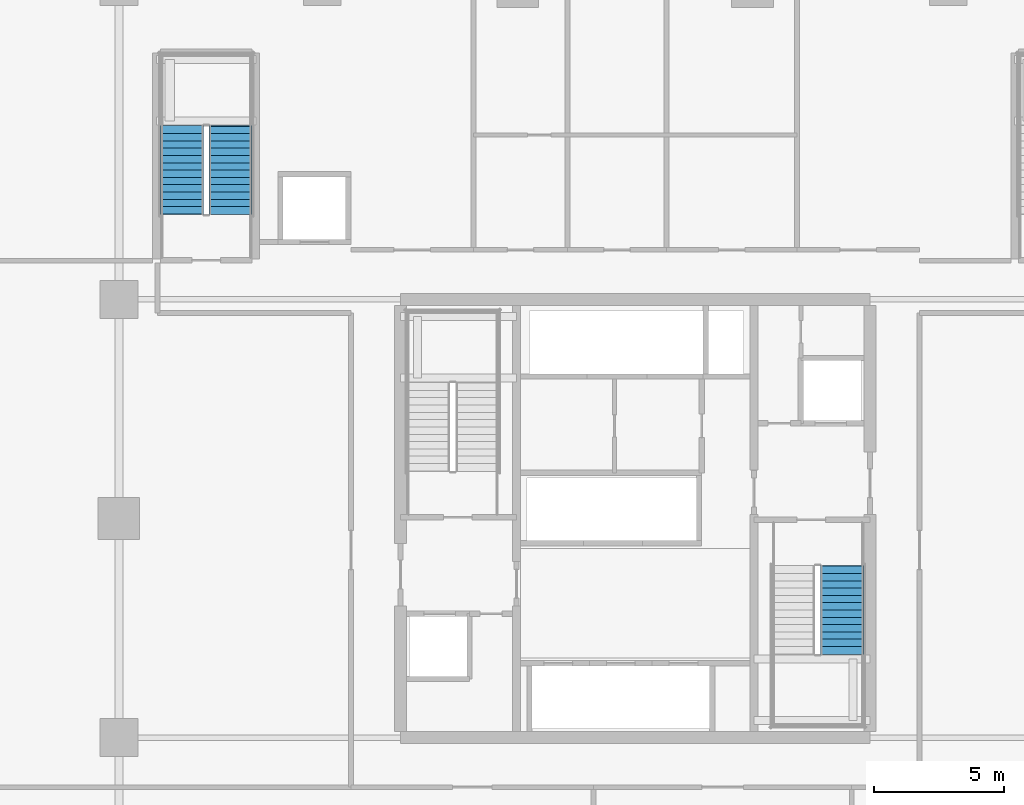
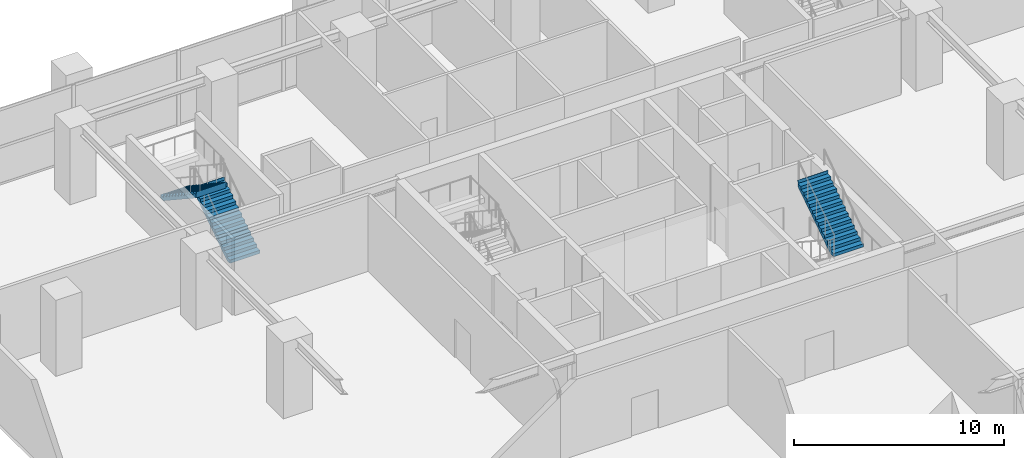
# One storey, part 17 of 20: 3 stair flights, 2 elements without a shape of their own.
"""IFC4 building model written with IfcOpenShell, lengths in metres."""

from ifc_helpers import new_model, si_unit, direction, frame, origin, place, context, subcontext, project, spatial, polygons, material, type_object, element, aggregate, save


model = new_model("IFC4")

# Units and contexts
model_context = context("Model", 3, precision=1e-05, world=origin(), true_north=direction((0.0, 1.0)))
body_context = subcontext(model_context, "Body", "Model", "MODEL_VIEW")
ifc_project = project(units=[si_unit("LENGTHUNIT", "METRE"), si_unit("AREAUNIT", "SQUARE_METRE"), si_unit("VOLUMEUNIT", "CUBIC_METRE"), si_unit("PLANEANGLEUNIT", "RADIAN"), si_unit("MASSUNIT", "GRAM", prefix="KILO")], contexts=[model_context])

# Site, building, storey
site_placement = place(None, origin())
site = spatial("IfcSite", under=ifc_project, at=site_placement, CompositionType="ELEMENT")
building_placement = place(site_placement, origin())
building = spatial("IfcBuilding", under=site, at=building_placement, Name="Serunith Strait Residences", CompositionType="ELEMENT")
storey_placement = place(building_placement, frame((0.0, 0.0, 10.5)))
storey = spatial("IfcBuildingStorey", under=building, at=storey_placement, Name="L02", CompositionType="ELEMENT", Elevation=10.5)

# Stair, stair flight
ifc_material = material(Name="Concrete C50/60", Category="concrete")
stair_type_1 = type_object("IfcStairType", Name="STR-CORE-2", PredefinedType="HALF_TURN_STAIR", material=ifc_material)
stair_1_placement = place(storey_placement, origin())
stair_1 = element("IfcStair", 1, at=stair_1_placement, inside=storey, type_object=stair_type_1, Name="L02 Protected Escape Stair ST-2", PredefinedType="HALF_TURN_STAIR")
stair_flight_type_1 = type_object("IfcStairFlightType", Name="FLT-CORE-2", PredefinedType="STRAIGHT", material=ifc_material)
stair_flight_1_placement = place(storey_placement, frame((40.324951171875, 20.010009765625, 2.39990234375), z_axis=(0.0, 0.0, 1.0), x_axis=(0.0, 1.0, 0.0)))
stair_flight_1 = element("IfcStairFlight", 2, at=stair_flight_1_placement, type_object=stair_flight_type_1, Name="ST-2 flight 2", NumberOfRisers=13, NumberOfTreads=12, PredefinedType="STRAIGHT", RiserHeight=0.184615385, TreadLength=0.28, context=body_context, shape_type="Tessellation", body=[
    polygons([(-0.02001953125, -0.824951171875, 0.0), (-0.02001953125, -0.824951171875, 0.1845703125), (0.280029296875, -0.824951171875, 0.1845703125), (0.280029296875, -0.824951171875, 0.369140625), (0.56005859375, -0.824951171875, 0.369140625), (0.56005859375, -0.824951171875, 0.553955078125), (0.840087890625, -0.824951171875, 0.553955078125), (0.840087890625, -0.824951171875, 0.738525390625), (1.1201171875, -0.824951171875, 0.738525390625), (1.1201171875, -0.824951171875, 0.923095703125), (1.39990234375, -0.824951171875, 0.923095703125), (1.39990234375, -0.824951171875, 1.107666015625), (1.679931640625, -0.824951171875, 1.107666015625), (1.679931640625, -0.824951171875, 1.292236328125), (1.9599609375, -0.824951171875, 1.292236328125), (1.9599609375, -0.824951171875, 1.476806640625), (2.239990234375, -0.824951171875, 1.476806640625), (2.239990234375, -0.824951171875, 1.66162109375), (2.52001953125, -0.824951171875, 1.66162109375), (2.52001953125, -0.824951171875, 1.84619140625), (2.800048828125, -0.824951171875, 1.84619140625), (2.800048828125, -0.824951171875, 2.03076171875), (3.080078125, -0.824951171875, 2.03076171875), (3.080078125, -0.824951171875, 2.21533203125), (3.360107421875, -0.824951171875, 2.21533203125), (3.360107421875, -0.824951171875, 2.39990234375), (3.380126953125, -0.824951171875, 2.39990234375), (3.380126953125, -0.824951171875, 2.340087890625), (3.360107421875, -0.824951171875, 2.035888671875), (0.272216796875, -0.824951171875, 0.0), (-0.02001953125, -0.41259765625, 0.0), (-0.02001953125, -0.41259765625, 0.1845703125), (0.280029296875, -0.41259765625, 0.1845703125), (0.280029296875, -0.41259765625, 0.369140625), (0.56005859375, -0.41259765625, 0.369140625), (0.56005859375, -0.41259765625, 0.553955078125), (0.840087890625, -0.41259765625, 0.553955078125), (0.840087890625, -0.41259765625, 0.738525390625), (1.1201171875, -0.41259765625, 0.738525390625), (1.1201171875, -0.41259765625, 0.923095703125), (1.39990234375, -0.41259765625, 0.923095703125), (1.39990234375, -0.41259765625, 1.107666015625), (1.679931640625, -0.41259765625, 1.107666015625), (1.679931640625, -0.41259765625, 1.292236328125), (1.9599609375, -0.41259765625, 1.292236328125), (1.9599609375, -0.41259765625, 1.476806640625), (2.239990234375, -0.41259765625, 1.476806640625), (2.239990234375, -0.41259765625, 1.66162109375), (2.52001953125, -0.41259765625, 1.66162109375), (2.52001953125, -0.41259765625, 1.84619140625), (2.800048828125, -0.41259765625, 1.84619140625), (2.800048828125, -0.41259765625, 2.03076171875), (3.080078125, -0.41259765625, 2.03076171875), (3.080078125, -0.41259765625, 2.21533203125), (3.360107421875, -0.41259765625, 2.21533203125), (3.360107421875, -0.41259765625, 2.39990234375), (3.380126953125, -0.41259765625, 2.39990234375), (3.380126953125, -0.41259765625, 2.340087890625), (3.360107421875, -0.41259765625, 2.035888671875), (0.272216796875, -0.41259765625, 0.0), (-0.02001953125, 0.0, 0.0), (-0.02001953125, 0.0, 0.1845703125), (0.280029296875, 0.0, 0.1845703125), (0.280029296875, 0.0, 0.369140625), (0.56005859375, 0.0, 0.369140625), (0.56005859375, 0.0, 0.553955078125), (0.840087890625, 0.0, 0.553955078125), (0.840087890625, 0.0, 0.738525390625), (1.1201171875, 0.0, 0.738525390625), (1.1201171875, 0.0, 0.923095703125), (1.39990234375, 0.0, 0.923095703125), (1.39990234375, 0.0, 1.107666015625), (1.679931640625, 0.0, 1.107666015625), (1.679931640625, 0.0, 1.292236328125), (1.9599609375, 0.0, 1.292236328125), (1.9599609375, 0.0, 1.476806640625), (2.239990234375, 0.0, 1.476806640625), (2.239990234375, 0.0, 1.66162109375), (2.52001953125, 0.0, 1.66162109375), (2.52001953125, 0.0, 1.84619140625), (2.800048828125, 0.0, 1.84619140625), (2.800048828125, 0.0, 2.03076171875), (3.080078125, 0.0, 2.03076171875), (3.080078125, 0.0, 2.21533203125), (3.360107421875, 0.0, 2.21533203125), (3.360107421875, 0.0, 2.39990234375), (3.380126953125, 0.0, 2.39990234375), (3.380126953125, 0.0, 2.340087890625), (3.360107421875, 0.0, 2.035888671875), (0.272216796875, 0.0, 0.0), (-0.02001953125, 0.41259765625, 0.0), (-0.02001953125, 0.41259765625, 0.1845703125), (0.280029296875, 0.41259765625, 0.1845703125), (0.280029296875, 0.41259765625, 0.369140625), (0.56005859375, 0.41259765625, 0.369140625), (0.56005859375, 0.41259765625, 0.553955078125), (0.840087890625, 0.41259765625, 0.553955078125), (0.840087890625, 0.41259765625, 0.738525390625), (1.1201171875, 0.41259765625, 0.738525390625), (1.1201171875, 0.41259765625, 0.923095703125), (1.39990234375, 0.41259765625, 0.923095703125), (1.39990234375, 0.41259765625, 1.107666015625), (1.679931640625, 0.41259765625, 1.107666015625), (1.679931640625, 0.41259765625, 1.292236328125), (1.9599609375, 0.41259765625, 1.292236328125), (1.9599609375, 0.41259765625, 1.476806640625), (2.239990234375, 0.41259765625, 1.476806640625), (2.239990234375, 0.41259765625, 1.66162109375), (2.52001953125, 0.41259765625, 1.66162109375), (2.52001953125, 0.41259765625, 1.84619140625), (2.800048828125, 0.41259765625, 1.84619140625), (2.800048828125, 0.41259765625, 2.03076171875), (3.080078125, 0.41259765625, 2.03076171875), (3.080078125, 0.41259765625, 2.21533203125), (3.360107421875, 0.41259765625, 2.21533203125), (3.360107421875, 0.41259765625, 2.39990234375), (3.380126953125, 0.41259765625, 2.39990234375), (3.380126953125, 0.41259765625, 2.340087890625), (3.360107421875, 0.41259765625, 2.035888671875), (0.272216796875, 0.41259765625, 0.0), (-0.02001953125, 0.824951171875, 0.0), (-0.02001953125, 0.824951171875, 0.1845703125), (0.280029296875, 0.824951171875, 0.1845703125), (0.280029296875, 0.824951171875, 0.369140625), (0.56005859375, 0.824951171875, 0.369140625), (0.56005859375, 0.824951171875, 0.553955078125), (0.840087890625, 0.824951171875, 0.553955078125), (0.840087890625, 0.824951171875, 0.738525390625), (1.1201171875, 0.824951171875, 0.738525390625), (1.1201171875, 0.824951171875, 0.923095703125), (1.39990234375, 0.824951171875, 0.923095703125), (1.39990234375, 0.824951171875, 1.107666015625), (1.679931640625, 0.824951171875, 1.107666015625), (1.679931640625, 0.824951171875, 1.292236328125), (1.9599609375, 0.824951171875, 1.292236328125), (1.9599609375, 0.824951171875, 1.476806640625), (2.239990234375, 0.824951171875, 1.476806640625), (2.239990234375, 0.824951171875, 1.66162109375), (2.52001953125, 0.824951171875, 1.66162109375), (2.52001953125, 0.824951171875, 1.84619140625), (2.800048828125, 0.824951171875, 1.84619140625), (2.800048828125, 0.824951171875, 2.03076171875), (3.080078125, 0.824951171875, 2.03076171875), (3.080078125, 0.824951171875, 2.21533203125), (3.360107421875, 0.824951171875, 2.21533203125), (3.360107421875, 0.824951171875, 2.39990234375), (3.380126953125, 0.824951171875, 2.39990234375), (3.380126953125, 0.824951171875, 2.340087890625), (3.360107421875, 0.824951171875, 2.035888671875), (0.272216796875, 0.824951171875, 0.0)], [[[1, 2, 32, 31]], [[2, 3, 33, 32]], [[3, 4, 34, 33]], [[4, 5, 35, 34]], [[5, 6, 36, 35]], [[6, 7, 37, 36]], [[7, 8, 38, 37]], [[8, 9, 39, 38]], [[9, 10, 40, 39]], [[10, 11, 41, 40]], [[11, 12, 42, 41]], [[12, 13, 43, 42]], [[13, 14, 44, 43]], [[14, 15, 45, 44]], [[15, 16, 46, 45]], [[16, 17, 47, 46]], [[17, 18, 48, 47]], [[18, 19, 49, 48]], [[19, 20, 50, 49]], [[20, 21, 51, 50]], [[21, 22, 52, 51]], [[22, 23, 53, 52]], [[23, 24, 54, 53]], [[24, 25, 55, 54]], [[25, 26, 56, 55]], [[26, 27, 57, 56]], [[27, 28, 58, 57]], [[28, 29, 59, 58]], [[29, 30, 60, 59]], [[30, 1, 31, 60]], [[31, 32, 62, 61]], [[32, 33, 63, 62]], [[33, 34, 64, 63]], [[34, 35, 65, 64]], [[35, 36, 66, 65]], [[36, 37, 67, 66]], [[37, 38, 68, 67]], [[38, 39, 69, 68]], [[39, 40, 70, 69]], [[40, 41, 71, 70]], [[41, 42, 72, 71]], [[42, 43, 73, 72]], [[43, 44, 74, 73]], [[44, 45, 75, 74]], [[45, 46, 76, 75]], [[46, 47, 77, 76]], [[47, 48, 78, 77]], [[48, 49, 79, 78]], [[49, 50, 80, 79]], [[50, 51, 81, 80]], [[51, 52, 82, 81]], [[52, 53, 83, 82]], [[53, 54, 84, 83]], [[54, 55, 85, 84]], [[55, 56, 86, 85]], [[56, 57, 87, 86]], [[57, 58, 88, 87]], [[58, 59, 89, 88]], [[59, 60, 90, 89]], [[60, 31, 61, 90]], [[61, 62, 92, 91]], [[62, 63, 93, 92]], [[63, 64, 94, 93]], [[64, 65, 95, 94]], [[65, 66, 96, 95]], [[66, 67, 97, 96]], [[67, 68, 98, 97]], [[68, 69, 99, 98]], [[69, 70, 100, 99]], [[70, 71, 101, 100]], [[71, 72, 102, 101]], [[72, 73, 103, 102]], [[73, 74, 104, 103]], [[74, 75, 105, 104]], [[75, 76, 106, 105]], [[76, 77, 107, 106]], [[77, 78, 108, 107]], [[78, 79, 109, 108]], [[79, 80, 110, 109]], [[80, 81, 111, 110]], [[81, 82, 112, 111]], [[82, 83, 113, 112]], [[83, 84, 114, 113]], [[84, 85, 115, 114]], [[85, 86, 116, 115]], [[86, 87, 117, 116]], [[87, 88, 118, 117]], [[88, 89, 119, 118]], [[89, 90, 120, 119]], [[90, 61, 91, 120]], [[91, 92, 122, 121]], [[92, 93, 123, 122]], [[93, 94, 124, 123]], [[94, 95, 125, 124]], [[95, 96, 126, 125]], [[96, 97, 127, 126]], [[97, 98, 128, 127]], [[98, 99, 129, 128]], [[99, 100, 130, 129]], [[100, 101, 131, 130]], [[101, 102, 132, 131]], [[102, 103, 133, 132]], [[103, 104, 134, 133]], [[104, 105, 135, 134]], [[105, 106, 136, 135]], [[106, 107, 137, 136]], [[107, 108, 138, 137]], [[108, 109, 139, 138]], [[109, 110, 140, 139]], [[110, 111, 141, 140]], [[111, 112, 142, 141]], [[112, 113, 143, 142]], [[113, 114, 144, 143]], [[114, 115, 145, 144]], [[115, 116, 146, 145]], [[116, 117, 147, 146]], [[117, 118, 148, 147]], [[118, 119, 149, 148]], [[119, 120, 150, 149]], [[120, 91, 121, 150]], [[30, 29, 28, 27, 26, 25, 24, 23, 22, 21, 20, 19, 18, 17, 16, 15, 14, 13, 12, 11, 10, 9, 8, 7, 6, 5, 4, 3, 2, 1]], [[121, 122, 123, 124, 125, 126, 127, 128, 129, 130, 131, 132, 133, 134, 135, 136, 137, 138, 139, 140, 141, 142, 143, 144, 145, 146, 147, 148, 149, 150]]], closed=True),
])
aggregate(stair_1, [stair_flight_1])

# Stair, stair flights
stair_type_2 = type_object("IfcStairType", Name="STR-POD-3", PredefinedType="HALF_TURN_STAIR", material=ifc_material)
stair_2_placement = place(storey_placement, origin())
stair_2 = element("IfcStair", 3, at=stair_2_placement, inside=storey, type_object=stair_type_2, Name="L02 Podium Escape Stair ST-3", PredefinedType="HALF_TURN_STAIR")
stair_flight_type_2 = type_object("IfcStairFlightType", Name="FLT-POD-3", PredefinedType="STRAIGHT", material=ifc_material)
stair_flight_2_placement = place(storey_placement, frame((16.875, 36.8798828125, 0.0), z_axis=(0.0, 0.0, 1.0), x_axis=(0.0, 1.0, 0.0)))
stair_flight_2 = element("IfcStairFlight", 4, at=stair_flight_2_placement, type_object=stair_flight_type_2, Name="ST-3 flight 1", NumberOfRisers=13, NumberOfTreads=12, PredefinedType="STRAIGHT", RiserHeight=0.184615385, TreadLength=0.28, context=body_context, shape_type="Tessellation", body=[
    polygons([(-0.02001953125, -0.824951171875, 0.0), (-0.02001953125, -0.824951171875, 0.1845703125), (0.280029296875, -0.824951171875, 0.1845703125), (0.280029296875, -0.824951171875, 0.369140625), (0.56005859375, -0.824951171875, 0.369140625), (0.56005859375, -0.824951171875, 0.553955078125), (0.840087890625, -0.824951171875, 0.553955078125), (0.840087890625, -0.824951171875, 0.738525390625), (1.1201171875, -0.824951171875, 0.738525390625), (1.1201171875, -0.824951171875, 0.923095703125), (1.39990234375, -0.824951171875, 0.923095703125), (1.39990234375, -0.824951171875, 1.107666015625), (1.679931640625, -0.824951171875, 1.107666015625), (1.679931640625, -0.824951171875, 1.292236328125), (1.9599609375, -0.824951171875, 1.292236328125), (1.9599609375, -0.824951171875, 1.476806640625), (2.239990234375, -0.824951171875, 1.476806640625), (2.239990234375, -0.824951171875, 1.66162109375), (2.52001953125, -0.824951171875, 1.66162109375), (2.52001953125, -0.824951171875, 1.84619140625), (2.800048828125, -0.824951171875, 1.84619140625), (2.800048828125, -0.824951171875, 2.03076171875), (3.080078125, -0.824951171875, 2.03076171875), (3.080078125, -0.824951171875, 2.21533203125), (3.360107421875, -0.824951171875, 2.21533203125), (3.360107421875, -0.824951171875, 2.39990234375), (3.380126953125, -0.824951171875, 2.39990234375), (3.380126953125, -0.824951171875, 2.340087890625), (3.360107421875, -0.824951171875, 2.035888671875), (0.272216796875, -0.824951171875, 0.0), (-0.02001953125, -0.41259765625, 0.0), (-0.02001953125, -0.41259765625, 0.1845703125), (0.280029296875, -0.41259765625, 0.1845703125), (0.280029296875, -0.41259765625, 0.369140625), (0.56005859375, -0.41259765625, 0.369140625), (0.56005859375, -0.41259765625, 0.553955078125), (0.840087890625, -0.41259765625, 0.553955078125), (0.840087890625, -0.41259765625, 0.738525390625), (1.1201171875, -0.41259765625, 0.738525390625), (1.1201171875, -0.41259765625, 0.923095703125), (1.39990234375, -0.41259765625, 0.923095703125), (1.39990234375, -0.41259765625, 1.107666015625), (1.679931640625, -0.41259765625, 1.107666015625), (1.679931640625, -0.41259765625, 1.292236328125), (1.9599609375, -0.41259765625, 1.292236328125), (1.9599609375, -0.41259765625, 1.476806640625), (2.239990234375, -0.41259765625, 1.476806640625), (2.239990234375, -0.41259765625, 1.66162109375), (2.52001953125, -0.41259765625, 1.66162109375), (2.52001953125, -0.41259765625, 1.84619140625), (2.800048828125, -0.41259765625, 1.84619140625), (2.800048828125, -0.41259765625, 2.03076171875), (3.080078125, -0.41259765625, 2.03076171875), (3.080078125, -0.41259765625, 2.21533203125), (3.360107421875, -0.41259765625, 2.21533203125), (3.360107421875, -0.41259765625, 2.39990234375), (3.380126953125, -0.41259765625, 2.39990234375), (3.380126953125, -0.41259765625, 2.340087890625), (3.360107421875, -0.41259765625, 2.035888671875), (0.272216796875, -0.41259765625, 0.0), (-0.02001953125, 0.0, 0.0), (-0.02001953125, 0.0, 0.1845703125), (0.280029296875, 0.0, 0.1845703125), (0.280029296875, 0.0, 0.369140625), (0.56005859375, 0.0, 0.369140625), (0.56005859375, 0.0, 0.553955078125), (0.840087890625, 0.0, 0.553955078125), (0.840087890625, 0.0, 0.738525390625), (1.1201171875, 0.0, 0.738525390625), (1.1201171875, 0.0, 0.923095703125), (1.39990234375, 0.0, 0.923095703125), (1.39990234375, 0.0, 1.107666015625), (1.679931640625, 0.0, 1.107666015625), (1.679931640625, 0.0, 1.292236328125), (1.9599609375, 0.0, 1.292236328125), (1.9599609375, 0.0, 1.476806640625), (2.239990234375, 0.0, 1.476806640625), (2.239990234375, 0.0, 1.66162109375), (2.52001953125, 0.0, 1.66162109375), (2.52001953125, 0.0, 1.84619140625), (2.800048828125, 0.0, 1.84619140625), (2.800048828125, 0.0, 2.03076171875), (3.080078125, 0.0, 2.03076171875), (3.080078125, 0.0, 2.21533203125), (3.360107421875, 0.0, 2.21533203125), (3.360107421875, 0.0, 2.39990234375), (3.380126953125, 0.0, 2.39990234375), (3.380126953125, 0.0, 2.340087890625), (3.360107421875, 0.0, 2.035888671875), (0.272216796875, 0.0, 0.0), (-0.02001953125, 0.41259765625, 0.0), (-0.02001953125, 0.41259765625, 0.1845703125), (0.280029296875, 0.41259765625, 0.1845703125), (0.280029296875, 0.41259765625, 0.369140625), (0.56005859375, 0.41259765625, 0.369140625), (0.56005859375, 0.41259765625, 0.553955078125), (0.840087890625, 0.41259765625, 0.553955078125), (0.840087890625, 0.41259765625, 0.738525390625), (1.1201171875, 0.41259765625, 0.738525390625), (1.1201171875, 0.41259765625, 0.923095703125), (1.39990234375, 0.41259765625, 0.923095703125), (1.39990234375, 0.41259765625, 1.107666015625), (1.679931640625, 0.41259765625, 1.107666015625), (1.679931640625, 0.41259765625, 1.292236328125), (1.9599609375, 0.41259765625, 1.292236328125), (1.9599609375, 0.41259765625, 1.476806640625), (2.239990234375, 0.41259765625, 1.476806640625), (2.239990234375, 0.41259765625, 1.66162109375), (2.52001953125, 0.41259765625, 1.66162109375), (2.52001953125, 0.41259765625, 1.84619140625), (2.800048828125, 0.41259765625, 1.84619140625), (2.800048828125, 0.41259765625, 2.03076171875), (3.080078125, 0.41259765625, 2.03076171875), (3.080078125, 0.41259765625, 2.21533203125), (3.360107421875, 0.41259765625, 2.21533203125), (3.360107421875, 0.41259765625, 2.39990234375), (3.380126953125, 0.41259765625, 2.39990234375), (3.380126953125, 0.41259765625, 2.340087890625), (3.360107421875, 0.41259765625, 2.035888671875), (0.272216796875, 0.41259765625, 0.0), (-0.02001953125, 0.824951171875, 0.0), (-0.02001953125, 0.824951171875, 0.1845703125), (0.280029296875, 0.824951171875, 0.1845703125), (0.280029296875, 0.824951171875, 0.369140625), (0.56005859375, 0.824951171875, 0.369140625), (0.56005859375, 0.824951171875, 0.553955078125), (0.840087890625, 0.824951171875, 0.553955078125), (0.840087890625, 0.824951171875, 0.738525390625), (1.1201171875, 0.824951171875, 0.738525390625), (1.1201171875, 0.824951171875, 0.923095703125), (1.39990234375, 0.824951171875, 0.923095703125), (1.39990234375, 0.824951171875, 1.107666015625), (1.679931640625, 0.824951171875, 1.107666015625), (1.679931640625, 0.824951171875, 1.292236328125), (1.9599609375, 0.824951171875, 1.292236328125), (1.9599609375, 0.824951171875, 1.476806640625), (2.239990234375, 0.824951171875, 1.476806640625), (2.239990234375, 0.824951171875, 1.66162109375), (2.52001953125, 0.824951171875, 1.66162109375), (2.52001953125, 0.824951171875, 1.84619140625), (2.800048828125, 0.824951171875, 1.84619140625), (2.800048828125, 0.824951171875, 2.03076171875), (3.080078125, 0.824951171875, 2.03076171875), (3.080078125, 0.824951171875, 2.21533203125), (3.360107421875, 0.824951171875, 2.21533203125), (3.360107421875, 0.824951171875, 2.39990234375), (3.380126953125, 0.824951171875, 2.39990234375), (3.380126953125, 0.824951171875, 2.340087890625), (3.360107421875, 0.824951171875, 2.035888671875), (0.272216796875, 0.824951171875, 0.0)], [[[1, 2, 32, 31]], [[2, 3, 33, 32]], [[3, 4, 34, 33]], [[4, 5, 35, 34]], [[5, 6, 36, 35]], [[6, 7, 37, 36]], [[7, 8, 38, 37]], [[8, 9, 39, 38]], [[9, 10, 40, 39]], [[10, 11, 41, 40]], [[11, 12, 42, 41]], [[12, 13, 43, 42]], [[13, 14, 44, 43]], [[14, 15, 45, 44]], [[15, 16, 46, 45]], [[16, 17, 47, 46]], [[17, 18, 48, 47]], [[18, 19, 49, 48]], [[19, 20, 50, 49]], [[20, 21, 51, 50]], [[21, 22, 52, 51]], [[22, 23, 53, 52]], [[23, 24, 54, 53]], [[24, 25, 55, 54]], [[25, 26, 56, 55]], [[26, 27, 57, 56]], [[27, 28, 58, 57]], [[28, 29, 59, 58]], [[29, 30, 60, 59]], [[30, 1, 31, 60]], [[31, 32, 62, 61]], [[32, 33, 63, 62]], [[33, 34, 64, 63]], [[34, 35, 65, 64]], [[35, 36, 66, 65]], [[36, 37, 67, 66]], [[37, 38, 68, 67]], [[38, 39, 69, 68]], [[39, 40, 70, 69]], [[40, 41, 71, 70]], [[41, 42, 72, 71]], [[42, 43, 73, 72]], [[43, 44, 74, 73]], [[44, 45, 75, 74]], [[45, 46, 76, 75]], [[46, 47, 77, 76]], [[47, 48, 78, 77]], [[48, 49, 79, 78]], [[49, 50, 80, 79]], [[50, 51, 81, 80]], [[51, 52, 82, 81]], [[52, 53, 83, 82]], [[53, 54, 84, 83]], [[54, 55, 85, 84]], [[55, 56, 86, 85]], [[56, 57, 87, 86]], [[57, 58, 88, 87]], [[58, 59, 89, 88]], [[59, 60, 90, 89]], [[60, 31, 61, 90]], [[61, 62, 92, 91]], [[62, 63, 93, 92]], [[63, 64, 94, 93]], [[64, 65, 95, 94]], [[65, 66, 96, 95]], [[66, 67, 97, 96]], [[67, 68, 98, 97]], [[68, 69, 99, 98]], [[69, 70, 100, 99]], [[70, 71, 101, 100]], [[71, 72, 102, 101]], [[72, 73, 103, 102]], [[73, 74, 104, 103]], [[74, 75, 105, 104]], [[75, 76, 106, 105]], [[76, 77, 107, 106]], [[77, 78, 108, 107]], [[78, 79, 109, 108]], [[79, 80, 110, 109]], [[80, 81, 111, 110]], [[81, 82, 112, 111]], [[82, 83, 113, 112]], [[83, 84, 114, 113]], [[84, 85, 115, 114]], [[85, 86, 116, 115]], [[86, 87, 117, 116]], [[87, 88, 118, 117]], [[88, 89, 119, 118]], [[89, 90, 120, 119]], [[90, 61, 91, 120]], [[91, 92, 122, 121]], [[92, 93, 123, 122]], [[93, 94, 124, 123]], [[94, 95, 125, 124]], [[95, 96, 126, 125]], [[96, 97, 127, 126]], [[97, 98, 128, 127]], [[98, 99, 129, 128]], [[99, 100, 130, 129]], [[100, 101, 131, 130]], [[101, 102, 132, 131]], [[102, 103, 133, 132]], [[103, 104, 134, 133]], [[104, 105, 135, 134]], [[105, 106, 136, 135]], [[106, 107, 137, 136]], [[107, 108, 138, 137]], [[108, 109, 139, 138]], [[109, 110, 140, 139]], [[110, 111, 141, 140]], [[111, 112, 142, 141]], [[112, 113, 143, 142]], [[113, 114, 144, 143]], [[114, 115, 145, 144]], [[115, 116, 146, 145]], [[116, 117, 147, 146]], [[117, 118, 148, 147]], [[118, 119, 149, 148]], [[119, 120, 150, 149]], [[120, 91, 121, 150]], [[30, 29, 28, 27, 26, 25, 24, 23, 22, 21, 20, 19, 18, 17, 16, 15, 14, 13, 12, 11, 10, 9, 8, 7, 6, 5, 4, 3, 2, 1]], [[121, 122, 123, 124, 125, 126, 127, 128, 129, 130, 131, 132, 133, 134, 135, 136, 137, 138, 139, 140, 141, 142, 143, 144, 145, 146, 147, 148, 149, 150]]], closed=True),
])
stair_flight_3_placement = place(storey_placement, frame((15.02490234375, 40.239990234375, 2.39990234375), z_axis=(0.0, 0.0, 1.0), x_axis=(0.0, -1.0, 0.0)))
stair_flight_3 = element("IfcStairFlight", 5, at=stair_flight_3_placement, type_object=stair_flight_type_2, Name="ST-3 flight 2", NumberOfRisers=13, NumberOfTreads=12, PredefinedType="STRAIGHT", RiserHeight=0.184615385, TreadLength=0.28, context=body_context, shape_type="Tessellation", body=[
    polygons([(-0.02001953125, -0.824951171875, 0.0), (-0.02001953125, -0.824951171875, 0.1845703125), (0.280029296875, -0.824951171875, 0.1845703125), (0.280029296875, -0.824951171875, 0.369140625), (0.56005859375, -0.824951171875, 0.369140625), (0.56005859375, -0.824951171875, 0.553955078125), (0.840087890625, -0.824951171875, 0.553955078125), (0.840087890625, -0.824951171875, 0.738525390625), (1.1201171875, -0.824951171875, 0.738525390625), (1.1201171875, -0.824951171875, 0.923095703125), (1.39990234375, -0.824951171875, 0.923095703125), (1.39990234375, -0.824951171875, 1.107666015625), (1.679931640625, -0.824951171875, 1.107666015625), (1.679931640625, -0.824951171875, 1.292236328125), (1.9599609375, -0.824951171875, 1.292236328125), (1.9599609375, -0.824951171875, 1.476806640625), (2.239990234375, -0.824951171875, 1.476806640625), (2.239990234375, -0.824951171875, 1.66162109375), (2.52001953125, -0.824951171875, 1.66162109375), (2.52001953125, -0.824951171875, 1.84619140625), (2.800048828125, -0.824951171875, 1.84619140625), (2.800048828125, -0.824951171875, 2.03076171875), (3.080078125, -0.824951171875, 2.03076171875), (3.080078125, -0.824951171875, 2.21533203125), (3.360107421875, -0.824951171875, 2.21533203125), (3.360107421875, -0.824951171875, 2.39990234375), (3.380126953125, -0.824951171875, 2.39990234375), (3.380126953125, -0.824951171875, 2.340087890625), (3.360107421875, -0.824951171875, 2.035888671875), (0.272216796875, -0.824951171875, 0.0), (-0.02001953125, -0.41259765625, 0.0), (-0.02001953125, -0.41259765625, 0.1845703125), (0.280029296875, -0.41259765625, 0.1845703125), (0.280029296875, -0.41259765625, 0.369140625), (0.56005859375, -0.41259765625, 0.369140625), (0.56005859375, -0.41259765625, 0.553955078125), (0.840087890625, -0.41259765625, 0.553955078125), (0.840087890625, -0.41259765625, 0.738525390625), (1.1201171875, -0.41259765625, 0.738525390625), (1.1201171875, -0.41259765625, 0.923095703125), (1.39990234375, -0.41259765625, 0.923095703125), (1.39990234375, -0.41259765625, 1.107666015625), (1.679931640625, -0.41259765625, 1.107666015625), (1.679931640625, -0.41259765625, 1.292236328125), (1.9599609375, -0.41259765625, 1.292236328125), (1.9599609375, -0.41259765625, 1.476806640625), (2.239990234375, -0.41259765625, 1.476806640625), (2.239990234375, -0.41259765625, 1.66162109375), (2.52001953125, -0.41259765625, 1.66162109375), (2.52001953125, -0.41259765625, 1.84619140625), (2.800048828125, -0.41259765625, 1.84619140625), (2.800048828125, -0.41259765625, 2.03076171875), (3.080078125, -0.41259765625, 2.03076171875), (3.080078125, -0.41259765625, 2.21533203125), (3.360107421875, -0.41259765625, 2.21533203125), (3.360107421875, -0.41259765625, 2.39990234375), (3.380126953125, -0.41259765625, 2.39990234375), (3.380126953125, -0.41259765625, 2.340087890625), (3.360107421875, -0.41259765625, 2.035888671875), (0.272216796875, -0.41259765625, 0.0), (-0.02001953125, 0.0, 0.0), (-0.02001953125, 0.0, 0.1845703125), (0.280029296875, 0.0, 0.1845703125), (0.280029296875, 0.0, 0.369140625), (0.56005859375, 0.0, 0.369140625), (0.56005859375, 0.0, 0.553955078125), (0.840087890625, 0.0, 0.553955078125), (0.840087890625, 0.0, 0.738525390625), (1.1201171875, 0.0, 0.738525390625), (1.1201171875, 0.0, 0.923095703125), (1.39990234375, 0.0, 0.923095703125), (1.39990234375, 0.0, 1.107666015625), (1.679931640625, 0.0, 1.107666015625), (1.679931640625, 0.0, 1.292236328125), (1.9599609375, 0.0, 1.292236328125), (1.9599609375, 0.0, 1.476806640625), (2.239990234375, 0.0, 1.476806640625), (2.239990234375, 0.0, 1.66162109375), (2.52001953125, 0.0, 1.66162109375), (2.52001953125, 0.0, 1.84619140625), (2.800048828125, 0.0, 1.84619140625), (2.800048828125, 0.0, 2.03076171875), (3.080078125, 0.0, 2.03076171875), (3.080078125, 0.0, 2.21533203125), (3.360107421875, 0.0, 2.21533203125), (3.360107421875, 0.0, 2.39990234375), (3.380126953125, 0.0, 2.39990234375), (3.380126953125, 0.0, 2.340087890625), (3.360107421875, 0.0, 2.035888671875), (0.272216796875, 0.0, 0.0), (-0.02001953125, 0.41259765625, 0.0), (-0.02001953125, 0.41259765625, 0.1845703125), (0.280029296875, 0.41259765625, 0.1845703125), (0.280029296875, 0.41259765625, 0.369140625), (0.56005859375, 0.41259765625, 0.369140625), (0.56005859375, 0.41259765625, 0.553955078125), (0.840087890625, 0.41259765625, 0.553955078125), (0.840087890625, 0.41259765625, 0.738525390625), (1.1201171875, 0.41259765625, 0.738525390625), (1.1201171875, 0.41259765625, 0.923095703125), (1.39990234375, 0.41259765625, 0.923095703125), (1.39990234375, 0.41259765625, 1.107666015625), (1.679931640625, 0.41259765625, 1.107666015625), (1.679931640625, 0.41259765625, 1.292236328125), (1.9599609375, 0.41259765625, 1.292236328125), (1.9599609375, 0.41259765625, 1.476806640625), (2.239990234375, 0.41259765625, 1.476806640625), (2.239990234375, 0.41259765625, 1.66162109375), (2.52001953125, 0.41259765625, 1.66162109375), (2.52001953125, 0.41259765625, 1.84619140625), (2.800048828125, 0.41259765625, 1.84619140625), (2.800048828125, 0.41259765625, 2.03076171875), (3.080078125, 0.41259765625, 2.03076171875), (3.080078125, 0.41259765625, 2.21533203125), (3.360107421875, 0.41259765625, 2.21533203125), (3.360107421875, 0.41259765625, 2.39990234375), (3.380126953125, 0.41259765625, 2.39990234375), (3.380126953125, 0.41259765625, 2.340087890625), (3.360107421875, 0.41259765625, 2.035888671875), (0.272216796875, 0.41259765625, 0.0), (-0.02001953125, 0.824951171875, 0.0), (-0.02001953125, 0.824951171875, 0.1845703125), (0.280029296875, 0.824951171875, 0.1845703125), (0.280029296875, 0.824951171875, 0.369140625), (0.56005859375, 0.824951171875, 0.369140625), (0.56005859375, 0.824951171875, 0.553955078125), (0.840087890625, 0.824951171875, 0.553955078125), (0.840087890625, 0.824951171875, 0.738525390625), (1.1201171875, 0.824951171875, 0.738525390625), (1.1201171875, 0.824951171875, 0.923095703125), (1.39990234375, 0.824951171875, 0.923095703125), (1.39990234375, 0.824951171875, 1.107666015625), (1.679931640625, 0.824951171875, 1.107666015625), (1.679931640625, 0.824951171875, 1.292236328125), (1.9599609375, 0.824951171875, 1.292236328125), (1.9599609375, 0.824951171875, 1.476806640625), (2.239990234375, 0.824951171875, 1.476806640625), (2.239990234375, 0.824951171875, 1.66162109375), (2.52001953125, 0.824951171875, 1.66162109375), (2.52001953125, 0.824951171875, 1.84619140625), (2.800048828125, 0.824951171875, 1.84619140625), (2.800048828125, 0.824951171875, 2.03076171875), (3.080078125, 0.824951171875, 2.03076171875), (3.080078125, 0.824951171875, 2.21533203125), (3.360107421875, 0.824951171875, 2.21533203125), (3.360107421875, 0.824951171875, 2.39990234375), (3.380126953125, 0.824951171875, 2.39990234375), (3.380126953125, 0.824951171875, 2.340087890625), (3.360107421875, 0.824951171875, 2.035888671875), (0.272216796875, 0.824951171875, 0.0)], [[[1, 2, 32, 31]], [[2, 3, 33, 32]], [[3, 4, 34, 33]], [[4, 5, 35, 34]], [[5, 6, 36, 35]], [[6, 7, 37, 36]], [[7, 8, 38, 37]], [[8, 9, 39, 38]], [[9, 10, 40, 39]], [[10, 11, 41, 40]], [[11, 12, 42, 41]], [[12, 13, 43, 42]], [[13, 14, 44, 43]], [[14, 15, 45, 44]], [[15, 16, 46, 45]], [[16, 17, 47, 46]], [[17, 18, 48, 47]], [[18, 19, 49, 48]], [[19, 20, 50, 49]], [[20, 21, 51, 50]], [[21, 22, 52, 51]], [[22, 23, 53, 52]], [[23, 24, 54, 53]], [[24, 25, 55, 54]], [[25, 26, 56, 55]], [[26, 27, 57, 56]], [[27, 28, 58, 57]], [[28, 29, 59, 58]], [[29, 30, 60, 59]], [[30, 1, 31, 60]], [[31, 32, 62, 61]], [[32, 33, 63, 62]], [[33, 34, 64, 63]], [[34, 35, 65, 64]], [[35, 36, 66, 65]], [[36, 37, 67, 66]], [[37, 38, 68, 67]], [[38, 39, 69, 68]], [[39, 40, 70, 69]], [[40, 41, 71, 70]], [[41, 42, 72, 71]], [[42, 43, 73, 72]], [[43, 44, 74, 73]], [[44, 45, 75, 74]], [[45, 46, 76, 75]], [[46, 47, 77, 76]], [[47, 48, 78, 77]], [[48, 49, 79, 78]], [[49, 50, 80, 79]], [[50, 51, 81, 80]], [[51, 52, 82, 81]], [[52, 53, 83, 82]], [[53, 54, 84, 83]], [[54, 55, 85, 84]], [[55, 56, 86, 85]], [[56, 57, 87, 86]], [[57, 58, 88, 87]], [[58, 59, 89, 88]], [[59, 60, 90, 89]], [[60, 31, 61, 90]], [[61, 62, 92, 91]], [[62, 63, 93, 92]], [[63, 64, 94, 93]], [[64, 65, 95, 94]], [[65, 66, 96, 95]], [[66, 67, 97, 96]], [[67, 68, 98, 97]], [[68, 69, 99, 98]], [[69, 70, 100, 99]], [[70, 71, 101, 100]], [[71, 72, 102, 101]], [[72, 73, 103, 102]], [[73, 74, 104, 103]], [[74, 75, 105, 104]], [[75, 76, 106, 105]], [[76, 77, 107, 106]], [[77, 78, 108, 107]], [[78, 79, 109, 108]], [[79, 80, 110, 109]], [[80, 81, 111, 110]], [[81, 82, 112, 111]], [[82, 83, 113, 112]], [[83, 84, 114, 113]], [[84, 85, 115, 114]], [[85, 86, 116, 115]], [[86, 87, 117, 116]], [[87, 88, 118, 117]], [[88, 89, 119, 118]], [[89, 90, 120, 119]], [[90, 61, 91, 120]], [[91, 92, 122, 121]], [[92, 93, 123, 122]], [[93, 94, 124, 123]], [[94, 95, 125, 124]], [[95, 96, 126, 125]], [[96, 97, 127, 126]], [[97, 98, 128, 127]], [[98, 99, 129, 128]], [[99, 100, 130, 129]], [[100, 101, 131, 130]], [[101, 102, 132, 131]], [[102, 103, 133, 132]], [[103, 104, 134, 133]], [[104, 105, 135, 134]], [[105, 106, 136, 135]], [[106, 107, 137, 136]], [[107, 108, 138, 137]], [[108, 109, 139, 138]], [[109, 110, 140, 139]], [[110, 111, 141, 140]], [[111, 112, 142, 141]], [[112, 113, 143, 142]], [[113, 114, 144, 143]], [[114, 115, 145, 144]], [[115, 116, 146, 145]], [[116, 117, 147, 146]], [[117, 118, 148, 147]], [[118, 119, 149, 148]], [[119, 120, 150, 149]], [[120, 91, 121, 150]], [[30, 29, 28, 27, 26, 25, 24, 23, 22, 21, 20, 19, 18, 17, 16, 15, 14, 13, 12, 11, 10, 9, 8, 7, 6, 5, 4, 3, 2, 1]], [[121, 122, 123, 124, 125, 126, 127, 128, 129, 130, 131, 132, 133, 134, 135, 136, 137, 138, 139, 140, 141, 142, 143, 144, 145, 146, 147, 148, 149, 150]]], closed=True),
])
aggregate(stair_2, [stair_flight_2, stair_flight_3])

save(model, "model.ifc")
